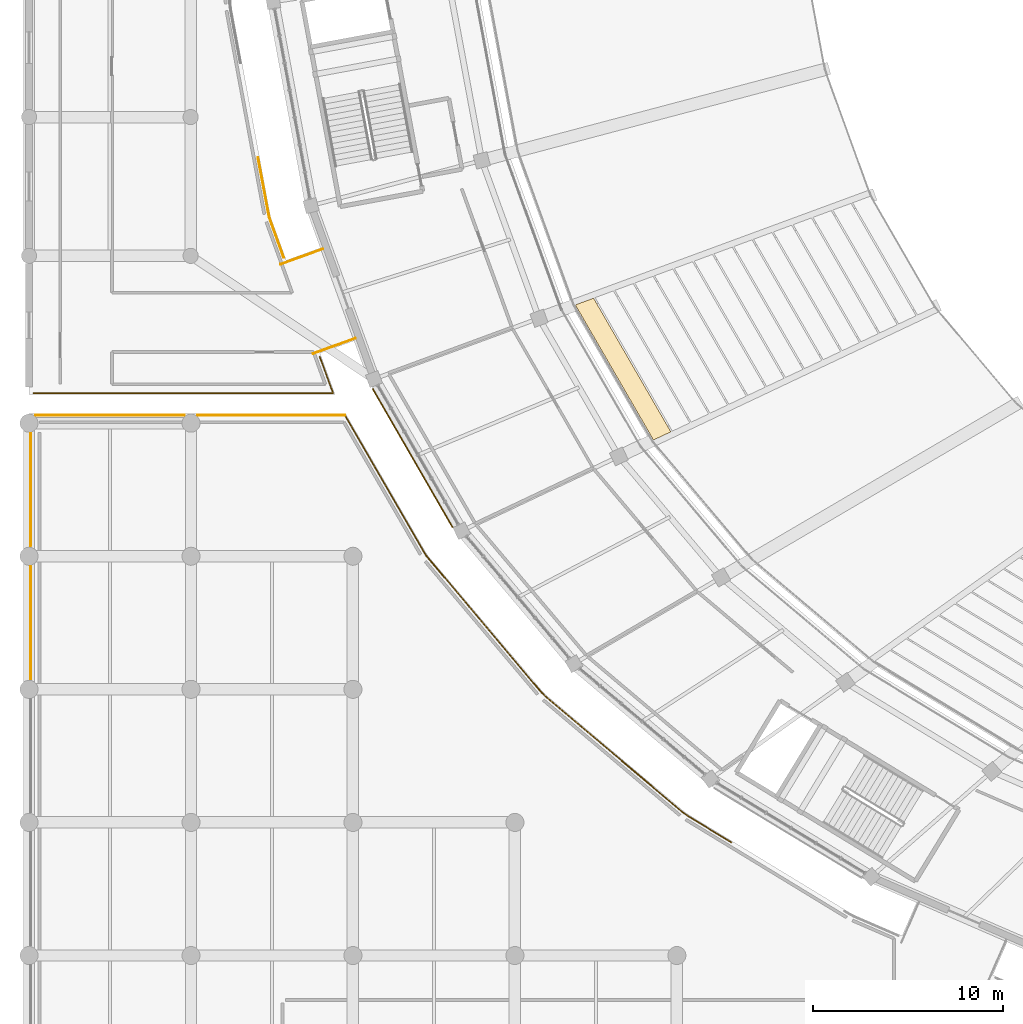
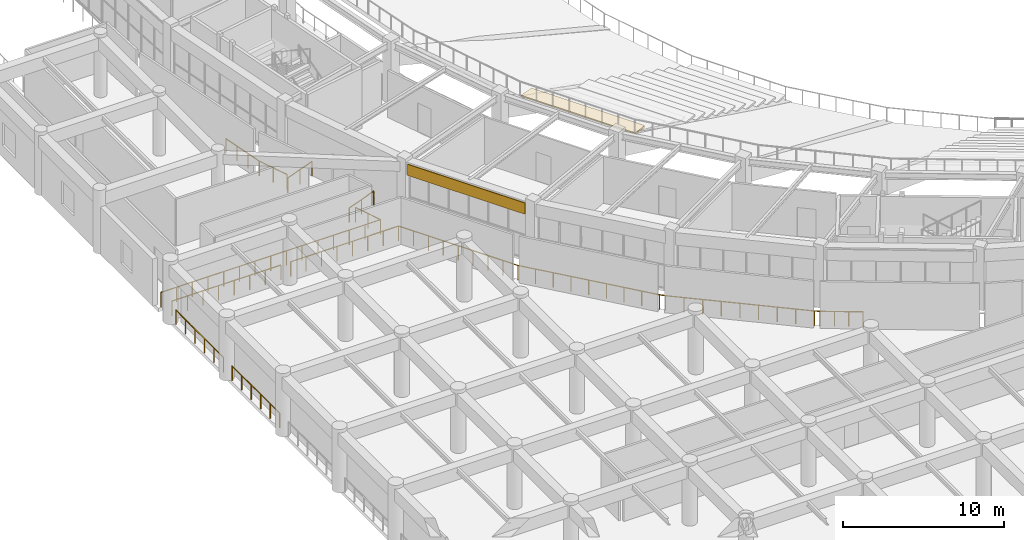
# One storey, part 112 of 137: 9 railings, 2 coverings.
"""IFC4 building model written with IfcOpenShell, lengths in metres."""

import ifcopenshell
import ifcopenshell.guid

model = None  # the IFC model being written
_history = None  # IfcOwnerHistory: only IFC2X3 demands one
_inside = {}  # id of a spatial element -> (the spatial element, [elements in it])
_under = {}  # id of a project, library or spatial element -> (it, [spatial elements below it])
_declared = {}  # id of a project -> (the project, [libraries it declares])
_typed = {}  # id of a type object -> (the type object, [elements of that type])
_made_of = {}  # id of a material, layer set ... -> (it, [elements and type objects made of it])


def new_model(schema):
    """Start an empty IFC model of exactly this schema.

    Asked for "IFC4X3", IfcOpenShell would pick the latest addendum, in which some entities
    have other attributes; the version numbers below select the first issue.
    IFC2X3 requires an IfcOwnerHistory on every rooted entity: one is made here for all.
    """
    global model, _history
    if schema == "IFC4X3":
        model = ifcopenshell.file(schema_version=(4, 3, 0, 0))
    else:
        model = ifcopenshell.file(schema=schema)
    _inside.clear()
    _under.clear()
    _declared.clear()
    _typed.clear()
    _made_of.clear()
    _history = None
    if model.schema == "IFC2X3":
        org = make("IfcOrganization", Name="unknown")
        user = make(
            "IfcPersonAndOrganization",
            ThePerson=make("IfcPerson", FamilyName="unknown"),
            TheOrganization=org,
        )
        app = make(
            "IfcApplication",
            ApplicationDeveloper=org,
            Version="unknown",
            ApplicationFullName="unknown",
            ApplicationIdentifier="unknown",
        )
        _history = make(
            "IfcOwnerHistory",
            OwningUser=user,
            OwningApplication=app,
            ChangeAction="ADDED",
            CreationDate=0,
        )
    return model


def make(cls, **values):
    """One entity of the class cls with the attributes given. An attribute that is None is left unset."""
    return model.create_entity(
        cls, **{name: value for name, value in values.items() if value is not None}
    )


def rooted(cls, **values):
    """An entity with a GlobalId (a new one), such as an element, a storey or a relation."""
    return make(cls, GlobalId=ifcopenshell.guid.new(), OwnerHistory=_history, **values)


def si_unit(unit_type, name, prefix=None):
    """IfcSIUnit, for example si_unit("LENGTHUNIT", "METRE", prefix="MILLI")."""
    return make("IfcSIUnit", UnitType=unit_type, Prefix=prefix, Name=name)


def assignment(units):
    """IfcUnitAssignment: the units of a project."""
    return None if units is None else make("IfcUnitAssignment", Units=units)


def point(xyz):
    """IfcCartesianPoint."""
    return None if xyz is None else make("IfcCartesianPoint", Coordinates=xyz)


def direction(xyz):
    """IfcDirection."""
    return None if xyz is None else make("IfcDirection", DirectionRatios=xyz)


def frame(location, z_axis=None, x_axis=None):
    """IfcAxis2Placement3D, a coordinate frame: its origin and axes. An axis left out is left unset."""
    return make(
        "IfcAxis2Placement3D",
        Location=point(location),
        Axis=direction(z_axis),
        RefDirection=direction(x_axis),
    )


def frame_2d(location, x_axis=None):
    """IfcAxis2Placement2D, a coordinate frame in the plane: its origin and x axis."""
    return make(
        "IfcAxis2Placement2D", Location=point(location), RefDirection=direction(x_axis)
    )


def origin():
    """The frame at (0, 0, 0) with its axes left unset."""
    return frame((0.0, 0.0, 0.0))


def origin_2d():
    """The frame at (0, 0) in the plane with its x axis left unset."""
    return frame_2d((0.0, 0.0))


def place(relative_to, where):
    """IfcLocalPlacement: puts the frame where relative to a parent placement (None: the world)."""
    return make(
        "IfcLocalPlacement", PlacementRelTo=relative_to, RelativePlacement=where
    )


def context(
    kind, dimensions, precision=None, world=None, true_north=None, identifier=None
):
    """IfcGeometricRepresentationContext, for example the 3D "Model" context."""
    return make(
        "IfcGeometricRepresentationContext",
        ContextIdentifier=identifier,
        ContextType=kind,
        CoordinateSpaceDimension=dimensions,
        Precision=precision,
        WorldCoordinateSystem=world,
        TrueNorth=true_north,
    )


def subcontext(parent, identifier, kind, view, scale=None):
    """IfcGeometricRepresentationSubContext, for example "Body" below "Model"."""
    return make(
        "IfcGeometricRepresentationSubContext",
        ContextIdentifier=identifier,
        ContextType=kind,
        ParentContext=parent,
        TargetScale=scale,
        TargetView=view,
    )


def project(units=None, contexts=None):
    """IfcProject with its units and contexts."""
    return rooted(
        "IfcProject",
        Name="project",
        RepresentationContexts=contexts,
        UnitsInContext=assignment(units),
    )


def spatial(cls, under=None, at=None, **own):
    """A site, building, storey or space (cls), placed at a placement, below another one or the project."""
    s = rooted(cls, ObjectPlacement=at, **own)
    if under is not None:
        _under.setdefault(under.id(), (under, []))[1].append(s)
    return s


def polyline(points):
    """IfcPolyline through the points."""
    return make("IfcPolyline", Points=[point(p) for p in points])


def profile(cls, at=None, kind="AREA", **sizes):
    """A parametric profile (cls). Its sizes go by their IFC names, for example OverallWidth=200.0."""
    return make(cls, ProfileType=kind, Position=at, **sizes)


def rectangle(**sizes):
    """IfcRectangleProfileDef."""
    return profile("IfcRectangleProfileDef", **sizes)


def circle(**sizes):
    """IfcCircleProfileDef."""
    return profile("IfcCircleProfileDef", **sizes)


def outline(outer, holes=None, kind="AREA"):
    """IfcArbitraryClosedProfileDef: a profile drawn as a closed curve; with holes, ...WithVoids."""
    if holes is None:
        return make("IfcArbitraryClosedProfileDef", ProfileType=kind, OuterCurve=outer)
    return make(
        "IfcArbitraryProfileDefWithVoids",
        ProfileType=kind,
        OuterCurve=outer,
        InnerCurves=holes,
    )


def extrude(swept, where, along, depth):
    """IfcExtrudedAreaSolid: the profile swept, set in the frame where, extruded along a direction by depth."""
    return make(
        "IfcExtrudedAreaSolid",
        SweptArea=swept,
        Position=where,
        ExtrudedDirection=direction(along),
        Depth=depth,
    )


def shape(context_of_items, identifier, shape_type, items):
    """IfcShapeRepresentation: the items that make up one representation, for example the "Body"."""
    return make(
        "IfcShapeRepresentation",
        ContextOfItems=context_of_items,
        RepresentationIdentifier=identifier,
        RepresentationType=shape_type,
        Items=items,
    )


def material(Name=None, Category=None):
    """IfcMaterial."""
    return make("IfcMaterial", Name=Name, Category=Category)


def layer(
    of_material, thickness, ventilated=None, Name=None, Category=None, Priority=None
):
    """IfcMaterialLayer: one layer of a wall or slab, of a material (None: an air gap)."""
    return make(
        "IfcMaterialLayer",
        Material=of_material,
        LayerThickness=thickness,
        IsVentilated=ventilated,
        Name=Name,
        Category=Category,
        Priority=Priority,
    )


def layer_set(layers, Name=None):
    """IfcMaterialLayerSet."""
    return make("IfcMaterialLayerSet", MaterialLayers=layers, LayerSetName=Name)


def made_of(thing, what):
    """Note that an element or type object is made of a material, layer set ...; save() writes the relation."""
    if what is not None:
        _made_of.setdefault(what.id(), (what, []))[1].append(thing)
    return thing


def type_object(cls, material=None, **own):
    """A type object (cls), such as IfcWallType, which elements share."""
    return made_of(rooted(cls, **own), material)


def element(
    cls,
    number,
    at=None,
    inside=None,
    cuts=None,
    type_object=None,
    material=None,
    context=None,
    identifier="Body",
    shape_type=None,
    held_by="IfcProductDefinitionShape",
    body=None,
    shapes=None,
    **own,
):
    """One element of the class cls, such as IfcWall. Its Tag is "e" and its number.

    at: its placement. inside: the storey or other place that contains it. cuts: it is an
    opening in that element (IfcRelVoidsElement). A single representation is given by context,
    identifier, shape_type and body (its items); several are given by shapes. held_by: the class
    of the entity that holds the representations. save() writes the other relations.
    """
    e = rooted(cls, Tag="e%d" % number, ObjectPlacement=at, **own)
    if body is not None:
        shapes = [shape(context, identifier, shape_type, body)]
    if shapes is not None:
        e.Representation = make(held_by, Representations=shapes)
    if inside is not None:
        _inside.setdefault(inside.id(), (inside, []))[1].append(e)
    if cuts is not None:
        rooted(
            "IfcRelVoidsElement", RelatingBuildingElement=cuts, RelatedOpeningElement=e
        )
    if type_object is not None:
        _typed.setdefault(type_object.id(), (type_object, []))[1].append(e)
    return made_of(e, material)


def aggregate(whole, parts):
    """IfcRelAggregates: a whole, such as a stair, and the parts it consists of."""
    return rooted("IfcRelAggregates", RelatingObject=whole, RelatedObjects=parts)


def save(model, path):
    """Write the relations noted so far, then the file.

    IfcRelAggregates (storeys below a building ...), IfcRelContainedInSpatialStructure (elements
    in a storey), IfcRelDefinesByType, IfcRelAssociatesMaterial and IfcRelDeclares: one each for
    every whole, place, type object, material and project.
    """
    for whole, parts in _under.values():
        aggregate(whole, parts)
    for where, things in _inside.values():
        rooted(
            "IfcRelContainedInSpatialStructure",
            RelatedElements=things,
            RelatingStructure=where,
        )
    for kind, things in _typed.values():
        rooted("IfcRelDefinesByType", RelatedObjects=things, RelatingType=kind)
    for what, things in _made_of.values():
        rooted("IfcRelAssociatesMaterial", RelatedObjects=things, RelatingMaterial=what)
    for by, libraries in _declared.values():
        rooted("IfcRelDeclares", RelatingContext=by, RelatedDefinitions=libraries)
    model.write(path)


model = new_model("IFC4")

# Units and contexts
model_context = context("Model", 3, precision=1e-05, world=origin(), true_north=direction((0.0, 1.0)))
body_context = subcontext(model_context, "Body", "Model", "MODEL_VIEW")
ifc_project = project(units=[si_unit("LENGTHUNIT", "METRE"), si_unit("AREAUNIT", "SQUARE_METRE"), si_unit("VOLUMEUNIT", "CUBIC_METRE"), si_unit("PLANEANGLEUNIT", "RADIAN"), si_unit("MASSUNIT", "GRAM", prefix="KILO")], contexts=[model_context])

# Site, building, storey
site_placement = place(None, origin())
site = spatial("IfcSite", under=ifc_project, at=site_placement, CompositionType="ELEMENT")
building_placement = place(site_placement, origin())
building = spatial("IfcBuilding", under=site, at=building_placement, Name="Mphavela Belvedere Stadium", CompositionType="ELEMENT")
storey_placement = place(building_placement, frame((0.0, 0.0, 19.199951171875)))
storey = spatial("IfcBuildingStorey", under=building, at=storey_placement, Name="L04", CompositionType="ELEMENT", Elevation=19.199951171875)

# Coverings
ifc_material_1 = material(Name="Carved classical limestone entablature frieze cladding", Category="masonry")
ifc_layer_1 = layer(ifc_material_1, 0.06005859375)
ifc_layer_set_1 = layer_set([ifc_layer_1], Name="Carved classical limestone entablature frieze cladding")
covering_type_1 = type_object("IfcCoveringType", Name="COV-FRIEZE-CLAD", PredefinedType="CLADDING", material=ifc_layer_set_1)
covering_1_placement = place(storey_placement, frame((20.173583984375, 47.16796875, 3.594970703125), z_axis=(0.0, 0.0, 1.0), x_axis=(0.500604477892, -0.865676126917, 0.0)))
element("IfcCovering", 1, at=covering_1_placement, inside=storey, type_object=covering_type_1, Name="Classical entablature frieze cladding L04-28", PredefinedType="CLADDING", context=body_context, shape_type="SweptSolid", body=[
    extrude(rectangle(XDim=8.4208984375, YDim=0.06005859375, at=origin_2d()), origin(), (0.0, 0.0, 1.0), 0.85009765625),
])
ifc_material_2 = material(Name="Precast seating row terrazzo finish", Category="concrete")
ifc_layer_2 = layer(ifc_material_2, 0.1201171875)
ifc_layer_set_2 = layer_set([ifc_layer_2], Name="Precast seating row terrazzo finish")
covering_type_2 = type_object("IfcCoveringType", Name="COV-SEAT-ROW-U", PredefinedType="FLOORING", material=ifc_layer_set_2)
covering_2_placement = place(storey_placement, frame((0.0, 0.0, 3.130126953125)))
element("IfcCovering", 2, at=covering_2_placement, inside=storey, type_object=covering_type_2, Name="Upper stand seating row bench B28-R15", PredefinedType="FLOORING", context=body_context, shape_type="SweptSolid", body=[
    extrude(outline(polyline([(29.693603515625, 55.57275390625), (33.757080078125, 48.544921875), (32.84423828125, 48.113037109375), (28.735107421875, 55.219482421875), (29.693603515625, 55.57275390625)])), origin(), (0.0, 0.0, 1.0), 0.119873046875),
])

# Railings
ifc_material_3 = material(Name="Bronze and laminated glass stadium balustrade", Category="glass")
railing_type = type_object("IfcRailingType", Name="RAL-BALUSTRADE-1120", PredefinedType="BALUSTRADE", material=ifc_material_3)
railing_1_placement = place(storey_placement, frame((15.44921875, 58.159423828125, 0.0)))
element("IfcRailing", 3, at=railing_1_placement, inside=storey, type_object=railing_type, Name="Colonnade link bridge balustrade L04-27A", PredefinedType="BALUSTRADE", context=body_context, shape_type="SweptSolid", body=[
    extrude(circle(Radius=0.02392578125, at=origin_2d()), frame((0.0, 0.0, 1.09619140625), z_axis=(-0.940078218368, -0.340958858734, 0.0), x_axis=(0.340958858734, -0.940078218368, 0.0)), (0.0, 0.0, 1.0), 2.35009765625),
    extrude(circle(Radius=0.02099609375, at=origin_2d()), origin(), (0.0, 0.0, 1.0), 1.072021484375),
    extrude(circle(Radius=0.02099609375, at=origin_2d()), frame((-1.1044921875, -0.400634765625, 0.0)), (0.0, 0.0, 1.0), 1.072021484375),
    extrude(circle(Radius=0.02099609375, at=origin_2d()), frame((-2.209228515625, -0.80126953125, 0.0)), (0.0, 0.0, 1.0), 1.072021484375),
])
railing_2_placement = place(storey_placement, frame((17.154296875, 53.459228515625, 0.0)))
element("IfcRailing", 4, at=railing_2_placement, inside=storey, type_object=railing_type, Name="Colonnade link bridge balustrade L04-27B", PredefinedType="BALUSTRADE", context=body_context, shape_type="SweptSolid", body=[
    extrude(circle(Radius=0.02392578125, at=origin_2d()), frame((0.0, 0.0, 1.09619140625), z_axis=(-0.940044916205, -0.341050664151, 0.0), x_axis=(0.341050664151, -0.940044916205, 0.0)), (0.0, 0.0, 1.0), 2.35009765625),
    extrude(circle(Radius=0.02099609375, at=origin_2d()), origin(), (0.0, 0.0, 1.0), 1.072021484375),
    extrude(circle(Radius=0.02099609375, at=origin_2d()), frame((-1.1044921875, -0.40087890625, 0.0)), (0.0, 0.0, 1.0), 1.072021484375),
    extrude(circle(Radius=0.02099609375, at=origin_2d()), frame((-2.209228515625, -0.801513671875, 0.0)), (0.0, 0.0, 1.0), 1.072021484375),
])
railing_3_placement = place(storey_placement, frame((16.607421875, 49.419921875, 0.0)))
element("IfcRailing", 5, at=railing_3_placement, inside=storey, type_object=railing_type, Name="Peristyle wing gallery edge balustrade L04-01", PredefinedType="BALUSTRADE", context=body_context, shape_type="SweptSolid", body=[
    extrude(circle(Radius=0.02392578125, at=origin_2d()), frame((0.0, 0.0, 1.09619140625), z_axis=(0.501496666229, -0.86515957705, 0.0), x_axis=(0.86515957705, 0.501496666229, 0.0)), (0.0, 0.0, 1.0), 8.548095703125),
    extrude(circle(Radius=0.02392578125, at=origin_2d()), frame((4.286865234375, -7.3955078125, 1.09619140625), z_axis=(0.644472492073, -0.764627495557, 0.0), x_axis=(0.764627495557, 0.644472492073, 0.0)), (0.0, 0.0, 1.0), 9.352783203125),
    extrude(circle(Radius=0.02392578125, at=origin_2d()), frame((10.314453125, -14.546875, 1.09619140625), z_axis=(0.707747566275, -0.706465414887, 0.0), x_axis=(0.706465414887, 0.707747566275, 0.0)), (0.0, 0.0, 1.0), 0.380859375),
    extrude(circle(Radius=0.02392578125, at=origin_2d()), frame((10.583984375, -14.81591796875, 1.09619140625), z_axis=(0.764260284561, -0.644907913924, 0.0), x_axis=(0.644907913924, 0.764260284561, 0.0)), (0.0, 0.0, 1.0), 9.4013671875),
    extrude(circle(Radius=0.02392578125, at=origin_2d()), frame((17.76904296875, -20.87890625, 1.09619140625), z_axis=(0.81202574752, -0.583621611462, 0.0), x_axis=(0.583621611462, 0.81202574752, 0.0)), (0.0, 0.0, 1.0), 0.348388671875),
    extrude(circle(Radius=0.02392578125, at=origin_2d()), frame((18.052001953125, -21.082275390625, 1.09619140625), z_axis=(0.854337692863, -0.519718295381, 0.0), x_axis=(0.519718295381, 0.854337692863, 0.0)), (0.0, 0.0, 1.0), 2.67626953125),
    extrude(circle(Radius=0.02099609375, at=origin_2d()), origin(), (0.0, 0.0, 1.0), 1.072021484375),
    extrude(circle(Radius=0.02099609375, at=origin_2d()), frame((0.535888671875, -0.92431640625, 0.0)), (0.0, 0.0, 1.0), 1.072021484375),
    extrude(circle(Radius=0.02099609375, at=origin_2d()), frame((1.07177734375, -1.848876953125, 0.0)), (0.0, 0.0, 1.0), 1.072021484375),
    extrude(circle(Radius=0.02099609375, at=origin_2d()), frame((1.607666015625, -2.7734375, 0.0)), (0.0, 0.0, 1.0), 1.072021484375),
    extrude(circle(Radius=0.02099609375, at=origin_2d()), frame((2.1435546875, -3.69775390625, 0.0)), (0.0, 0.0, 1.0), 1.072021484375),
    extrude(circle(Radius=0.02099609375, at=origin_2d()), frame((2.67919921875, -4.6220703125, 0.0)), (0.0, 0.0, 1.0), 1.072021484375),
    extrude(circle(Radius=0.02099609375, at=origin_2d()), frame((3.215087890625, -5.546630859375, 0.0)), (0.0, 0.0, 1.0), 1.072021484375),
    extrude(circle(Radius=0.02099609375, at=origin_2d()), frame((3.7509765625, -6.47119140625, 0.0)), (0.0, 0.0, 1.0), 1.072021484375),
    extrude(circle(Radius=0.02099609375, at=origin_2d()), frame((4.286865234375, -7.3955078125, 0.0)), (0.0, 0.0, 1.0), 1.072021484375),
    extrude(circle(Radius=0.02099609375, at=origin_2d()), frame((5.040283203125, -8.28955078125, 0.0)), (0.0, 0.0, 1.0), 1.072021484375),
    extrude(circle(Radius=0.02099609375, at=origin_2d()), frame((5.793701171875, -9.183349609375, 0.0)), (0.0, 0.0, 1.0), 1.072021484375),
    extrude(circle(Radius=0.02099609375, at=origin_2d()), frame((6.547119140625, -10.0771484375, 0.0)), (0.0, 0.0, 1.0), 1.072021484375),
    extrude(circle(Radius=0.02099609375, at=origin_2d()), frame((7.30078125, -10.97119140625, 0.0)), (0.0, 0.0, 1.0), 1.072021484375),
    extrude(circle(Radius=0.02099609375, at=origin_2d()), frame((8.05419921875, -11.865234375, 0.0)), (0.0, 0.0, 1.0), 1.072021484375),
    extrude(circle(Radius=0.02099609375, at=origin_2d()), frame((8.8076171875, -12.759033203125, 0.0)), (0.0, 0.0, 1.0), 1.072021484375),
    extrude(circle(Radius=0.02099609375, at=origin_2d()), frame((9.56103515625, -13.65283203125, 0.0)), (0.0, 0.0, 1.0), 1.072021484375),
    extrude(circle(Radius=0.02099609375, at=origin_2d()), frame((10.314453125, -14.546875, 0.0)), (0.0, 0.0, 1.0), 1.072021484375),
    extrude(circle(Radius=0.02099609375, at=origin_2d()), frame((10.583984375, -14.81591796875, 0.0)), (0.0, 0.0, 1.0), 1.072021484375),
    extrude(circle(Radius=0.02099609375, at=origin_2d()), frame((11.482177734375, -15.57373046875, 0.0)), (0.0, 0.0, 1.0), 1.072021484375),
    extrude(circle(Radius=0.02099609375, at=origin_2d()), frame((12.38037109375, -16.33154296875, 0.0)), (0.0, 0.0, 1.0), 1.072021484375),
    extrude(circle(Radius=0.02099609375, at=origin_2d()), frame((13.2783203125, -17.089599609375, 0.0)), (0.0, 0.0, 1.0), 1.072021484375),
    extrude(circle(Radius=0.02099609375, at=origin_2d()), frame((14.176513671875, -17.847412109375, 0.0)), (0.0, 0.0, 1.0), 1.072021484375),
    extrude(circle(Radius=0.02099609375, at=origin_2d()), frame((15.07470703125, -18.605224609375, 0.0)), (0.0, 0.0, 1.0), 1.072021484375),
    extrude(circle(Radius=0.02099609375, at=origin_2d()), frame((15.97265625, -19.36328125, 0.0)), (0.0, 0.0, 1.0), 1.072021484375),
    extrude(circle(Radius=0.02099609375, at=origin_2d()), frame((16.870849609375, -20.12109375, 0.0)), (0.0, 0.0, 1.0), 1.072021484375),
    extrude(circle(Radius=0.02099609375, at=origin_2d()), frame((17.76904296875, -20.87890625, 0.0)), (0.0, 0.0, 1.0), 1.072021484375),
    extrude(circle(Radius=0.02099609375, at=origin_2d()), frame((18.052001953125, -21.082275390625, 0.0)), (0.0, 0.0, 1.0), 1.072021484375),
    extrude(circle(Radius=0.02099609375, at=origin_2d()), frame((18.814208984375, -21.5458984375, 0.0)), (0.0, 0.0, 1.0), 1.072021484375),
    extrude(circle(Radius=0.02099609375, at=origin_2d()), frame((19.576171875, -22.009521484375, 0.0)), (0.0, 0.0, 1.0), 1.072021484375),
    extrude(circle(Radius=0.02099609375, at=origin_2d()), frame((20.33837890625, -22.47314453125, 0.0)), (0.0, 0.0, 1.0), 1.072021484375),
])
for number, where, name in (
    (6, (0.080078125, 35.54345703125, 0.0), "Peristyle wing gallery edge balustrade L04-21"),
    (7, (0.080078125, 42.54345703125, 0.0), "Peristyle wing gallery edge balustrade L04-22"),
):
    element("IfcRailing", number, at=place(storey_placement, frame(where)), inside=storey, type_object=railing_type, Name=name, PredefinedType="BALUSTRADE", context=body_context, shape_type="SweptSolid", body=[
        extrude(circle(Radius=0.02392578125, at=origin_2d()), frame((0.0, 0.0, 1.09619140625), z_axis=(0.0, 1.0, 0.0), x_axis=(-1.0, 0.0, 0.0)), (0.0, 0.0, 1.0), 5.9130859375),
        extrude(circle(Radius=0.02099609375, at=origin_2d()), origin(), (0.0, 0.0, 1.0), 1.072021484375),
        extrude(circle(Radius=0.02099609375, at=origin_2d()), frame((0.0, 1.1826171875, 0.0)), (0.0, 0.0, 1.0), 1.072021484375),
        extrude(circle(Radius=0.02099609375, at=origin_2d()), frame((0.0, 2.365234375, 0.0)), (0.0, 0.0, 1.0), 1.072021484375),
        extrude(circle(Radius=0.02099609375, at=origin_2d()), frame((0.0, 3.5478515625, 0.0)), (0.0, 0.0, 1.0), 1.072021484375),
        extrude(circle(Radius=0.02099609375, at=origin_2d()), frame((0.0, 4.73046875, 0.0)), (0.0, 0.0, 1.0), 1.072021484375),
        extrude(circle(Radius=0.02099609375, at=origin_2d()), frame((0.0, 5.9130859375, 0.0)), (0.0, 0.0, 1.0), 1.072021484375),
    ])
railing_4_placement = place(storey_placement, frame((0.3544921875, 49.419921875, 0.0)))
element("IfcRailing", 8, at=railing_4_placement, inside=storey, type_object=railing_type, Name="Peristyle wing gallery edge balustrade L04-23", PredefinedType="BALUSTRADE", context=body_context, shape_type="SweptSolid", body=[
    extrude(circle(Radius=0.02392578125, at=origin_2d()), frame((0.0, 0.0, 1.09619140625), z_axis=(1.0, 0.0, 0.0), x_axis=(0.0, 1.0, 0.0)), (0.0, 0.0, 1.0), 7.809814453125),
    extrude(circle(Radius=0.02099609375, at=origin_2d()), origin(), (0.0, 0.0, 1.0), 1.072021484375),
    extrude(circle(Radius=0.02099609375, at=origin_2d()), frame((1.11572265625, 0.0, 0.0)), (0.0, 0.0, 1.0), 1.072021484375),
    extrude(circle(Radius=0.02099609375, at=origin_2d()), frame((2.2314453125, 0.0, 0.0)), (0.0, 0.0, 1.0), 1.072021484375),
    extrude(circle(Radius=0.02099609375, at=origin_2d()), frame((3.34716796875, 0.0, 0.0)), (0.0, 0.0, 1.0), 1.072021484375),
    extrude(circle(Radius=0.02099609375, at=origin_2d()), frame((4.462646484375, 0.0, 0.0)), (0.0, 0.0, 1.0), 1.072021484375),
    extrude(circle(Radius=0.02099609375, at=origin_2d()), frame((5.578369140625, 0.0, 0.0)), (0.0, 0.0, 1.0), 1.072021484375),
    extrude(circle(Radius=0.02099609375, at=origin_2d()), frame((6.694091796875, 0.0, 0.0)), (0.0, 0.0, 1.0), 1.072021484375),
    extrude(circle(Radius=0.02099609375, at=origin_2d()), frame((7.809814453125, 0.0, 0.0)), (0.0, 0.0, 1.0), 1.072021484375),
])
railing_5_placement = place(storey_placement, frame((8.87353515625, 49.419921875, 0.0)))
element("IfcRailing", 9, at=railing_5_placement, inside=storey, type_object=railing_type, Name="Peristyle wing gallery edge balustrade L04-24", PredefinedType="BALUSTRADE", context=body_context, shape_type="SweptSolid", body=[
    extrude(circle(Radius=0.02392578125, at=origin_2d()), frame((0.0, 0.0, 1.09619140625), z_axis=(1.0, 0.0, 0.0), x_axis=(0.0, 1.0, 0.0)), (0.0, 0.0, 1.0), 7.73388671875),
    extrude(circle(Radius=0.02099609375, at=origin_2d()), origin(), (0.0, 0.0, 1.0), 1.072021484375),
    extrude(circle(Radius=0.02099609375, at=origin_2d()), frame((1.104736328125, 0.0, 0.0)), (0.0, 0.0, 1.0), 1.072021484375),
    extrude(circle(Radius=0.02099609375, at=origin_2d()), frame((2.209716796875, 0.0, 0.0)), (0.0, 0.0, 1.0), 1.072021484375),
    extrude(circle(Radius=0.02099609375, at=origin_2d()), frame((3.314453125, 0.0, 0.0)), (0.0, 0.0, 1.0), 1.072021484375),
    extrude(circle(Radius=0.02099609375, at=origin_2d()), frame((4.41943359375, 0.0, 0.0)), (0.0, 0.0, 1.0), 1.072021484375),
    extrude(circle(Radius=0.02099609375, at=origin_2d()), frame((5.524169921875, 0.0, 0.0)), (0.0, 0.0, 1.0), 1.072021484375),
    extrude(circle(Radius=0.02099609375, at=origin_2d()), frame((6.629150390625, 0.0, 0.0)), (0.0, 0.0, 1.0), 1.072021484375),
    extrude(circle(Radius=0.02099609375, at=origin_2d()), frame((7.73388671875, 0.0, 0.0)), (0.0, 0.0, 1.0), 1.072021484375),
])
railing_6_placement = place(storey_placement, frame((12.0458984375, 62.970947265625, 0.0)))
element("IfcRailing", 10, at=railing_6_placement, inside=storey, type_object=railing_type, Name="Peristyle wing gallery edge balustrade L04-57", PredefinedType="BALUSTRADE", context=body_context, shape_type="SweptSolid", body=[
    extrude(circle(Radius=0.02392578125, at=origin_2d()), frame((0.0, 0.0, 1.09619140625), z_axis=(0.184941248651, -0.982749578757, 0.0), x_axis=(0.982749578757, 0.184941248651, 0.0)), (0.0, 0.0, 1.0), 3.18408203125),
    extrude(circle(Radius=0.02392578125, at=origin_2d()), frame((0.5888671875, -3.129150390625, 1.09619140625), z_axis=(0.337621951524, -0.941281795133, 0.0), x_axis=(0.941281795133, 0.337621951524, 0.0)), (0.0, 0.0, 1.0), 2.26123046875),
    extrude(circle(Radius=0.02099609375, at=origin_2d()), origin(), (0.0, 0.0, 1.0), 1.072021484375),
    extrude(circle(Radius=0.02099609375, at=origin_2d()), frame((0.1962890625, -1.04296875, 0.0)), (0.0, 0.0, 1.0), 1.072021484375),
    extrude(circle(Radius=0.02099609375, at=origin_2d()), frame((0.392578125, -2.086181640625, 0.0)), (0.0, 0.0, 1.0), 1.072021484375),
    extrude(circle(Radius=0.02099609375, at=origin_2d()), frame((0.5888671875, -3.129150390625, 0.0)), (0.0, 0.0, 1.0), 1.072021484375),
    extrude(circle(Radius=0.02099609375, at=origin_2d()), frame((0.970703125, -4.193359375, 0.0)), (0.0, 0.0, 1.0), 1.072021484375),
    extrude(circle(Radius=0.02099609375, at=origin_2d()), frame((1.352294921875, -5.257568359375, 0.0)), (0.0, 0.0, 1.0), 1.072021484375),
])
railing_7_placement = place(storey_placement, frame((15.294677734375, 52.48681640625, 0.0)))
element("IfcRailing", 11, at=railing_7_placement, inside=storey, type_object=railing_type, Name="Peristyle wing gallery edge balustrade L04-58", PredefinedType="BALUSTRADE", context=body_context, shape_type="SweptSolid", body=[
    extrude(circle(Radius=0.02392578125, at=origin_2d()), frame((0.0, 0.0, 1.09619140625), z_axis=(0.342380499121, -0.939561383743, 0.0), x_axis=(0.939561383743, 0.342380499121, 0.0)), (0.0, 0.0, 1.0), 2.029296875),
    extrude(circle(Radius=0.02392578125, at=origin_2d()), frame((0.69482421875, -1.90673828125, 1.09619140625), z_axis=(-1.0, 0.0, 0.0), x_axis=(0.0, -1.0, 0.0)), (0.0, 0.0, 1.0), 15.756103515625),
    extrude(circle(Radius=0.02099609375, at=origin_2d()), origin(), (0.0, 0.0, 1.0), 1.072021484375),
    extrude(circle(Radius=0.02099609375, at=origin_2d()), frame((0.347412109375, -0.953369140625, 0.0)), (0.0, 0.0, 1.0), 1.072021484375),
    extrude(circle(Radius=0.02099609375, at=origin_2d()), frame((0.69482421875, -1.90673828125, 0.0)), (0.0, 0.0, 1.0), 1.072021484375),
    extrude(circle(Radius=0.02099609375, at=origin_2d()), frame((-0.4306640625, -1.90673828125, 0.0)), (0.0, 0.0, 1.0), 1.072021484375),
    extrude(circle(Radius=0.02099609375, at=origin_2d()), frame((-1.55615234375, -1.90673828125, 0.0)), (0.0, 0.0, 1.0), 1.072021484375),
    extrude(circle(Radius=0.02099609375, at=origin_2d()), frame((-2.681396484375, -1.90673828125, 0.0)), (0.0, 0.0, 1.0), 1.072021484375),
    extrude(circle(Radius=0.02099609375, at=origin_2d()), frame((-3.806884765625, -1.90673828125, 0.0)), (0.0, 0.0, 1.0), 1.072021484375),
    extrude(circle(Radius=0.02099609375, at=origin_2d()), frame((-4.932373046875, -1.90673828125, 0.0)), (0.0, 0.0, 1.0), 1.072021484375),
    extrude(circle(Radius=0.02099609375, at=origin_2d()), frame((-6.057861328125, -1.90673828125, 0.0)), (0.0, 0.0, 1.0), 1.072021484375),
    extrude(circle(Radius=0.02099609375, at=origin_2d()), frame((-7.18310546875, -1.90673828125, 0.0)), (0.0, 0.0, 1.0), 1.072021484375),
    extrude(circle(Radius=0.02099609375, at=origin_2d()), frame((-8.30859375, -1.90673828125, 0.0)), (0.0, 0.0, 1.0), 1.072021484375),
    extrude(circle(Radius=0.02099609375, at=origin_2d()), frame((-9.43408203125, -1.90673828125, 0.0)), (0.0, 0.0, 1.0), 1.072021484375),
    extrude(circle(Radius=0.02099609375, at=origin_2d()), frame((-10.5595703125, -1.90673828125, 0.0)), (0.0, 0.0, 1.0), 1.072021484375),
    extrude(circle(Radius=0.02099609375, at=origin_2d()), frame((-11.68505859375, -1.90673828125, 0.0)), (0.0, 0.0, 1.0), 1.072021484375),
    extrude(circle(Radius=0.02099609375, at=origin_2d()), frame((-12.810302734375, -1.90673828125, 0.0)), (0.0, 0.0, 1.0), 1.072021484375),
    extrude(circle(Radius=0.02099609375, at=origin_2d()), frame((-13.935791015625, -1.90673828125, 0.0)), (0.0, 0.0, 1.0), 1.072021484375),
    extrude(circle(Radius=0.02099609375, at=origin_2d()), frame((-15.061279296875, -1.90673828125, 0.0)), (0.0, 0.0, 1.0), 1.072021484375),
])

save(model, "model.ifc")
